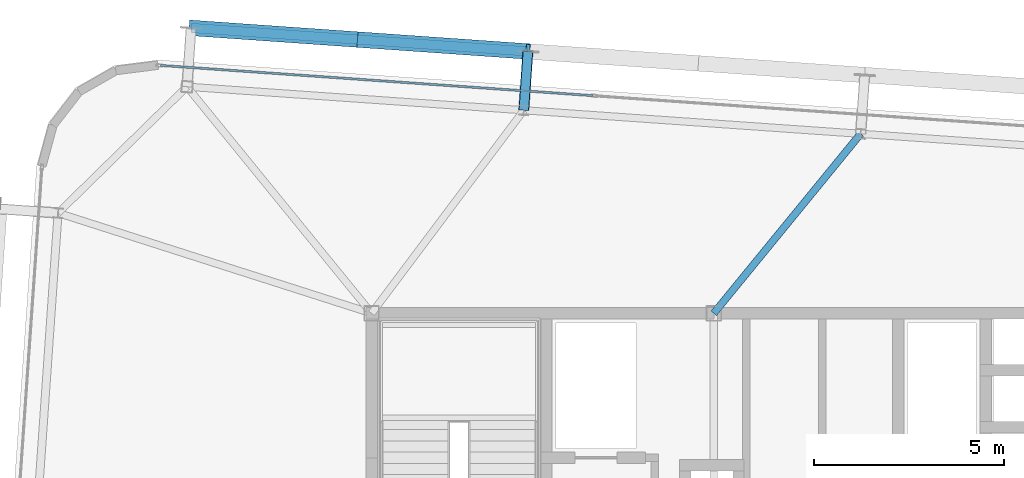
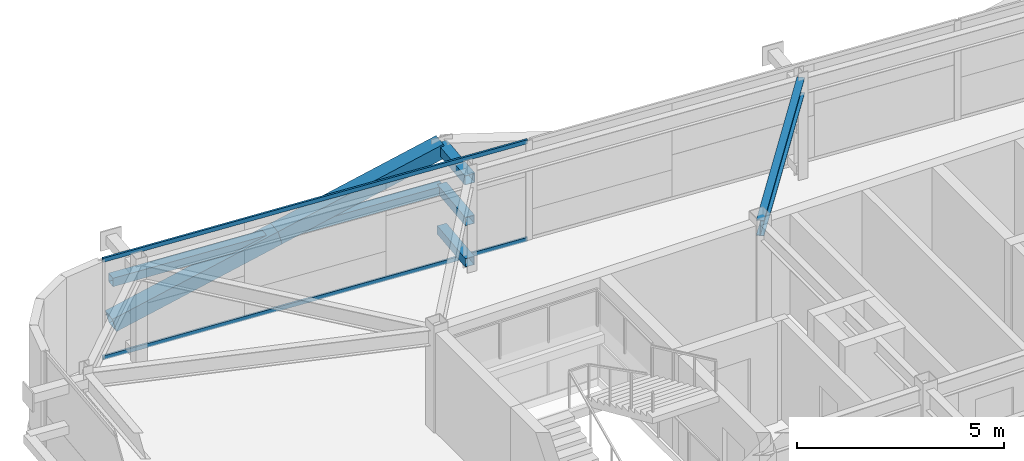
# One storey, part 20 of 39: 8 members, 1 beam, 1 element without a shape of its own.
"""IFC4 building model written with IfcOpenShell, lengths in metres."""

from ifc_helpers import new_model, si_unit, direction, frame, origin, origin_2d, place, context, subcontext, project, spatial, hollow_rectangle, i_section, extrude, source, transform, mapped, material, layer, layer_set, material_profile, profile_set, type_object, element, aggregate, save


model = new_model("IFC4")

# Units and contexts
model_context = context("Model", 3, precision=1e-05, world=origin(), true_north=direction((0.0, 1.0)))
body_context = subcontext(model_context, "Body", "Model", "MODEL_VIEW")
ifc_project = project(units=[si_unit("LENGTHUNIT", "METRE"), si_unit("AREAUNIT", "SQUARE_METRE"), si_unit("VOLUMEUNIT", "CUBIC_METRE"), si_unit("PLANEANGLEUNIT", "RADIAN"), si_unit("MASSUNIT", "GRAM", prefix="KILO")], contexts=[model_context])

# Site, building, storey
site_placement = place(None, origin())
site = spatial("IfcSite", under=ifc_project, at=site_placement, CompositionType="ELEMENT")
building_placement = place(site_placement, origin())
building = spatial("IfcBuilding", under=site, at=building_placement, Name="Taldren Reach Tower", CompositionType="ELEMENT")
storey_placement = place(building_placement, frame((0.0, 0.0, 151.89990234375)))
storey = spatial("IfcBuildingStorey", under=building, at=storey_placement, Name="L46", CompositionType="ELEMENT", Elevation=151.89990234375)

# Members
ifc_material_1 = material(Name="Steel Gr 450 (C450L0)", Category="steel")
ifc_material_profile_1 = material_profile(ifc_material_1, hollow_rectangle(XDim=0.27490234375, YDim=0.27490234375, WallThickness=0.00927734375, at=origin_2d()), Name="275x275x9.3SHS")
ifc_profile_set_1 = profile_set([ifc_material_profile_1], Name="Steel Gr 450 (C450L0)")
member_type_1 = type_object("IfcMemberType", Name="MB-TIE273", PredefinedType="STRUT", material=ifc_profile_set_1)
shared_shape_1 = source(origin(), body_context, "Body", "SweptSolid", [
    extrude(hollow_rectangle(XDim=0.27490234375, YDim=0.27490234375, WallThickness=0.00927734375, at=origin_2d()), origin(), (0.0, 0.0, 1.0), 1.5498046875),
])
member_1_placement = place(storey_placement, frame((23.0029296875, 37.33935546875, 2.650146484375), z_axis=(0.069780535098, 0.997562367434, 0.0), x_axis=(-0.997562367434, 0.069780535098, 0.0)))
element("IfcMember", 1, at=member_1_placement, inside=storey, type_object=member_type_1, Name="Exoskeleton diaphragm tie strut B3-N2 L46", PredefinedType="STRUT", context=body_context, shape_type="MappedRepresentation", body=[
    mapped(shared_shape_1, transform((0.0, 0.0, 0.0), scale=1.0)),
])
ifc_material_2 = material(Name="Steel Gr 350 (C350L0)", Category="steel")
ifc_material_profile_2 = material_profile(ifc_material_2, hollow_rectangle(XDim=0.25, YDim=0.25, WallThickness=0.010009765625, at=origin_2d()), Name="250x250x10.0SHS")
ifc_profile_set_2 = profile_set([ifc_material_profile_2], Name="Steel Gr 350 (C350L0)")
member_type_2 = type_object("IfcMemberType", Name="MB-POST250", PredefinedType="POST", material=ifc_profile_set_2)
shared_shape_2 = source(origin(), body_context, "Body", "SweptSolid", [
    extrude(hollow_rectangle(XDim=0.25, YDim=0.25, WallThickness=0.010009765625, at=origin_2d()), origin(), (0.0, 0.0, 1.0), 1.5498046875),
])
for number, where, z_axis, x_axis, name in (
    (2, (23.0029296875, 37.33935546875, 0.22021484375), (0.069780535098, 0.997562367434, 0.0), (-0.997562367434, 0.069780535098, 0.0), "Exoskeleton base diaphragm tie strut B3-N2 L46"),
    (3, (23.0029296875, 37.33935546875, 1.43505859375), (0.069780535098, 0.997562367434, 0.0), (-0.997562367434, 0.069780535098, 0.0), "Exoskeleton mid-tier diaphragm tie B3-N2 L46"),
):
    element("IfcMember", number, at=place(storey_placement, frame(where, z_axis=z_axis, x_axis=x_axis)), inside=storey, type_object=member_type_2, Name=name, PredefinedType="POST", context=body_context, shape_type="MappedRepresentation", body=[
        mapped(shared_shape_2, transform((0.0, 0.0, 0.0), scale=1.0)),
    ])

# Beam
ifc_material_3 = material(Name="Steel Gr 350 (350PLUS)", Category="steel")
ifc_material_profile_3 = material_profile(ifc_material_3, i_section(OverallWidth=0.19091796875, OverallDepth=0.4599609375, WebThickness=0.010009765625, FlangeThickness=0.01611328125, at=origin_2d()), Name="460UB82.1")
ifc_profile_set_3 = profile_set([ifc_material_profile_3], Name="Steel Gr 350 (350PLUS)")
beam_type = type_object("IfcBeamType", Name="BM-UB460A", PredefinedType="BEAM", material=ifc_profile_set_3)
shared_shape_3 = source(origin(), body_context, "Body", "SweptSolid", [
    extrude(i_section(OverallWidth=0.19091796875, OverallDepth=0.4599609375, WebThickness=0.010009765625, FlangeThickness=0.01611328125, at=origin_2d()), origin(), (0.0, 0.0, 1.0), 6.09814453125),
])
beam_placement = place(storey_placement, frame((28.0, 32.0, 2.7001953125), z_axis=(0.633192006663, 0.773994756247, 0.0), x_axis=(-0.773994756247, 0.633192006663, 0.0)))
element("IfcBeam", 4, at=beam_placement, inside=storey, type_object=beam_type, Name="Primary floor girder B3-N3 L46", PredefinedType="BEAM", context=body_context, shape_type="MappedRepresentation", body=[
    mapped(shared_shape_3, transform((0.0, 0.0, 0.0), scale=1.0)),
])

# Members
shared_shape_4 = source(origin(), body_context, "Body", "SweptSolid", [
    extrude(hollow_rectangle(XDim=0.25, YDim=0.25, WallThickness=0.010009765625, at=origin_2d()), origin(), (0.0, 0.0, 1.0), 8.880126953125),
])
member_2_placement = place(storey_placement, frame((14.252685546875, 39.5048828125, 1.43505859375), z_axis=(0.997564479639, -0.069750333063, 0.0), x_axis=(0.069750333063, 0.997564479639, 0.0)))
element("IfcMember", 5, at=member_2_placement, inside=storey, type_object=member_type_2, Name="Exoskeleton mid-height ring chord B3-N1 L46", PredefinedType="POST", context=body_context, shape_type="MappedRepresentation", body=[
    mapped(shared_shape_4, transform((0.0, 0.0, 0.0), scale=1.0)),
])
ifc_material_profile_4 = material_profile(ifc_material_1, hollow_rectangle(XDim=0.409912109375, YDim=0.409912109375, WallThickness=0.01611328125, at=origin_2d()), Name="410x410x16.0SHS")
ifc_profile_set_4 = profile_set([ifc_material_profile_4], Name="Steel Gr 450 (C450L0)")
member_type_3 = type_object("IfcMemberType", Name="MB-EXO406", PredefinedType="BRACE", material=ifc_profile_set_4)
shared_shape_5 = source(origin(), body_context, "Body", "SweptSolid", [
    extrude(hollow_rectangle(XDim=0.409912109375, YDim=0.409912109375, WallThickness=0.01611328125, at=origin_2d()), origin(), (0.0, 0.0, 1.0), 4.603271484375),
])
for number, where, z_axis, x_axis, name in (
    (6, (14.252685546875, 39.5048828125, 0.22021484375), (0.962199253371, -0.067251055742, 0.263912660389), (0.069722973508, 0.997566392259, 0.0), "Exoskeleton Diagrid Brace B3-N1 L46"),
    (7, (18.681884765625, 39.1953125, 1.43505859375), (0.962182351074, -0.067302910567, 0.263961060594), (0.06977769246, 0.997562566276, 0.0), "Exoskeleton Diagrid Brace B3-N1 L46"),
):
    element("IfcMember", number, at=place(storey_placement, frame(where, z_axis=z_axis, x_axis=x_axis)), inside=storey, type_object=member_type_3, Name=name, PredefinedType="BRACE", context=body_context, shape_type="MappedRepresentation", body=[
        mapped(shared_shape_5, transform((0.0, 0.0, 0.0), scale=1.0)),
    ])

# Curtain wall, members
ifc_material_4 = material(Name="Aluminium and Low-E Glass Unitised System", Category="aluminium")
ifc_layer = layer(ifc_material_4, 0.159912109375)
ifc_layer_set = layer_set([ifc_layer], Name="Aluminium and Low-E Glass Unitised System")
curtain_wall_type = type_object("IfcCurtainWallType", Name="CW-SYS-4", PredefinedType="NOTDEFINED", material=ifc_layer_set)
curtain_wall_placement = place(storey_placement, origin())
curtain_wall = element("IfcCurtainWall", 8, at=curtain_wall_placement, inside=storey, type_object=curtain_wall_type, Name="Unitised curtain wall CW-L46-N", PredefinedType="NOTDEFINED")
ifc_material_5 = material(Name="Anodised Aluminium 6063-T6", Category="aluminium")
ifc_material_profile_5 = material_profile(ifc_material_5, hollow_rectangle(XDim=0.054931640625, YDim=0.1201171875, WallThickness=0.0029296875, at=origin_2d()), Name="ALU-120x55x3RHS")
ifc_profile_set_5 = profile_set([ifc_material_profile_5], Name="Anodised Aluminium 6063-T6")
member_type_4 = type_object("IfcMemberType", Name="CW-TRN-135", PredefinedType="USERDEFINED", material=ifc_profile_set_5)
shared_shape_6 = source(origin(), body_context, "Body", "SweptSolid", [
    extrude(hollow_rectangle(XDim=0.054931640625, YDim=0.1201171875, WallThickness=0.0029296875, at=origin_2d()), origin(), (0.0, 0.0, 1.0), 11.39501953125),
])
member_3_placement = place(storey_placement, frame((24.819091796875, 37.7236328125, 0.027587890625), z_axis=(-0.997563740682, 0.069760900766, 0.0), x_axis=(-0.069760900766, -0.997563740682, 0.0)))
member_3 = element("IfcMember", 9, at=member_3_placement, type_object=member_type_4, Name="CW-4 transom 4.1", ObjectType="TRANSOM", PredefinedType="USERDEFINED", context=body_context, shape_type="MappedRepresentation", body=[
    mapped(shared_shape_6, transform((0.0, 0.0, 0.0), scale=1.0)),
])
member_4_placement = place(storey_placement, frame((24.819091796875, 37.7236328125, 2.902587890625), z_axis=(-0.997563740682, 0.069760900766, 0.0), x_axis=(-0.069760900766, -0.997563740682, 0.0)))
member_4 = element("IfcMember", 10, at=member_4_placement, type_object=member_type_4, Name="CW-4 transom 4.2", ObjectType="TRANSOM", PredefinedType="USERDEFINED", context=body_context, shape_type="MappedRepresentation", body=[
    mapped(shared_shape_6, transform((0.0, 0.0, 0.0), scale=1.0)),
])
aggregate(curtain_wall, [member_3, member_4])

save(model, "model.ifc")
